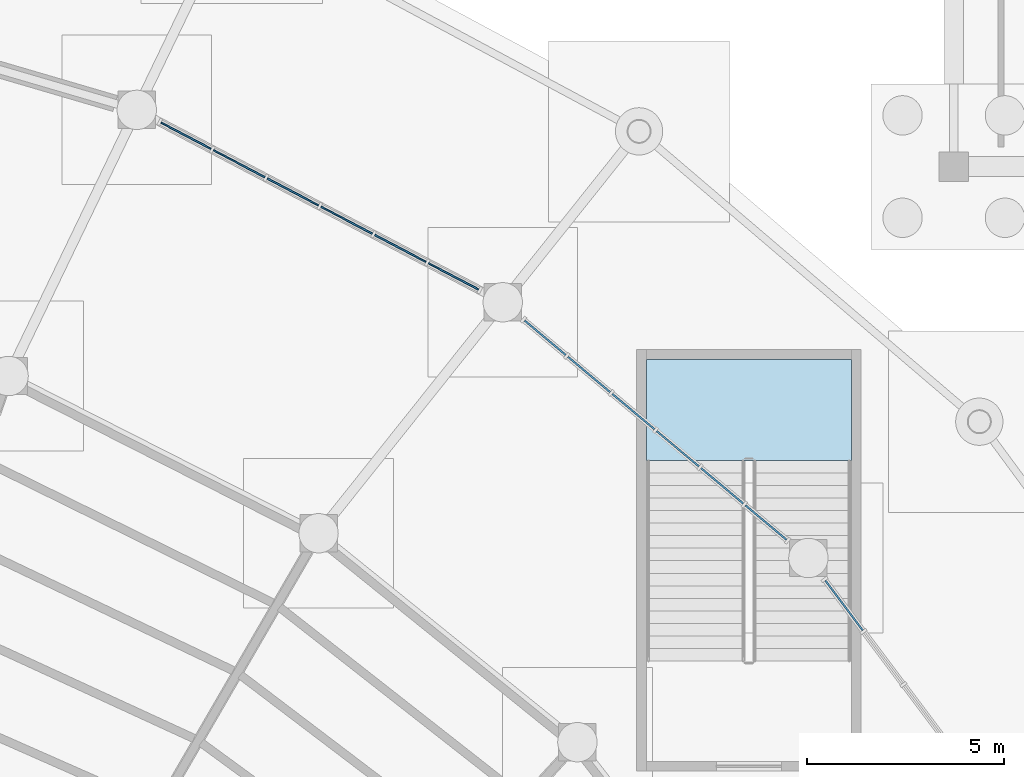
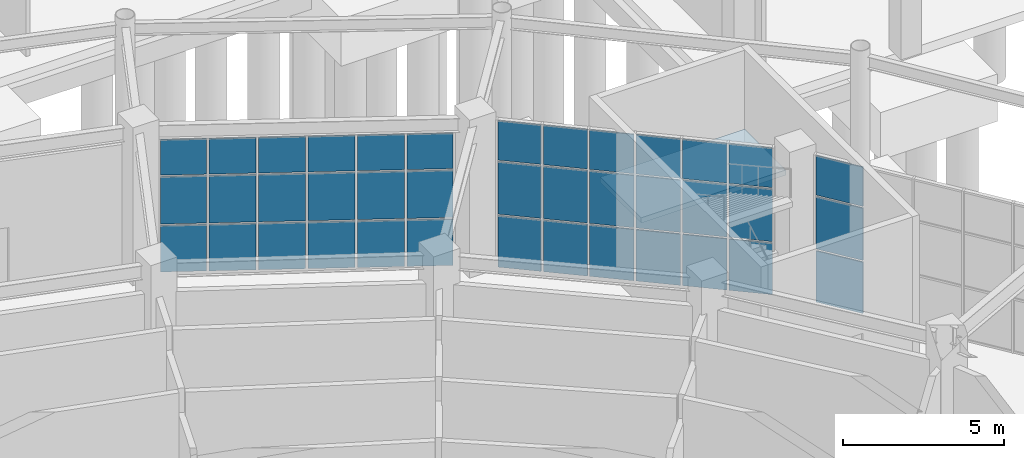
# One storey, part 74 of 121: 39 plates, 1 slab, 4 elements without a shape of their own.
"""IFC4 building model written with IfcOpenShell, lengths in metres."""

from ifc_helpers import new_model, si_unit, direction, frame, origin, origin_2d, place, context, subcontext, project, spatial, polyline, rectangle, outline, extrude, material, layer, layer_set, type_object, element, aggregate, save


model = new_model("IFC4")

# Units and contexts
model_context = context("Model", 3, precision=1e-05, world=origin(), true_north=direction((0.0, 1.0)))
body_context = subcontext(model_context, "Body", "Model", "MODEL_VIEW")
ifc_project = project(units=[si_unit("LENGTHUNIT", "METRE"), si_unit("AREAUNIT", "SQUARE_METRE"), si_unit("VOLUMEUNIT", "CUBIC_METRE"), si_unit("PLANEANGLEUNIT", "RADIAN"), si_unit("MASSUNIT", "GRAM", prefix="KILO")], contexts=[model_context])

# Site, building, storey
site_placement = place(None, origin())
site = spatial("IfcSite", under=ifc_project, at=site_placement, CompositionType="ELEMENT")
building_placement = place(site_placement, origin())
building = spatial("IfcBuilding", under=site, at=building_placement, Name="Cuetzalor Civic Arena", CompositionType="ELEMENT")
storey_placement = place(building_placement, origin())
storey = spatial("IfcBuildingStorey", under=building, at=storey_placement, Name="L00", CompositionType="ELEMENT", Elevation=0.0)

# Curtain wall, plates
ifc_material_1 = material(Name="Anodised dark bronze aluminium and low-E solar glass", Category="aluminium")
curtain_wall_type_1 = type_object("IfcCurtainWallType", Name="UnitisedCW_8450x5700", PredefinedType="USERDEFINED", material=ifc_material_1)
curtain_wall_1_placement = place(storey_placement, origin())
curtain_wall_1 = element("IfcCurtainWall", 1, at=curtain_wall_1_placement, inside=storey, type_object=curtain_wall_type_1, Name="Drum Ground Recessed Concourse Curtain Wall L00-002", ObjectType="UNITISED CURTAIN WALL", PredefinedType="USERDEFINED")
ifc_material_2 = material(Name="Acoustic laminated solar control glass", Category="glass")
ifc_layer_1 = layer(ifc_material_2, 0.0439453125)
ifc_layer_set_1 = layer_set([ifc_layer_1], Name="Acoustic laminated solar control glass")
plate_type = type_object("IfcPlateType", Name="AcousticTripleGlazedPanel_44", PredefinedType="CURTAIN_PANEL", material=ifc_layer_set_1)
plate_1_placement = place(storey_placement, frame((39.21484375, 24.35791015625, 0.06982421875), z_axis=(0.0, 0.0, 1.0), x_axis=(0.600491594925, -0.799631067696, 0.0)))
plate_1 = element("IfcPlate", 2, at=plate_1_placement, type_object=plate_type, Name="CW-02 panel 1.1", PredefinedType="CURTAIN_PANEL", context=body_context, shape_type="SweptSolid", body=[
    extrude(rectangle(XDim=1.58056640625, YDim=0.0439453125, at=origin_2d()), origin(), (0.0, 0.0, 1.0), 1.947021484375),
])
plate_2_placement = place(storey_placement, frame((39.21484375, 24.35791015625, 2.0869140625), z_axis=(0.0, 0.0, 1.0), x_axis=(0.600491594925, -0.799631067696, 0.0)))
plate_2 = element("IfcPlate", 3, at=plate_2_placement, type_object=plate_type, Name="CW-02 panel 1.2", PredefinedType="CURTAIN_PANEL", context=body_context, shape_type="SweptSolid", body=[
    extrude(rectangle(XDim=1.58056640625, YDim=0.0439453125, at=origin_2d()), origin(), (0.0, 0.0, 1.0), 1.98193359375),
])
plate_3_placement = place(storey_placement, frame((39.21484375, 24.35791015625, 4.13916015625), z_axis=(0.0, 0.0, 1.0), x_axis=(0.600491594925, -0.799631067696, 0.0)))
plate_3 = element("IfcPlate", 4, at=plate_3_placement, type_object=plate_type, Name="CW-02 panel 1.3", PredefinedType="CURTAIN_PANEL", context=body_context, shape_type="SweptSolid", body=[
    extrude(rectangle(XDim=1.58056640625, YDim=0.0439453125, at=origin_2d()), origin(), (0.0, 0.0, 1.0), 1.490966796875),
])
aggregate(curtain_wall_1, [plate_1, plate_2, plate_3])

ifc_material_3 = material(Name="Anodised dark bronze aluminium and low-E solar glass", Category="aluminium")
curtain_wall_type_2 = type_object("IfcCurtainWallType", Name="UnitisedCW_8800x5700", PredefinedType="USERDEFINED", material=ifc_material_3)
curtain_wall_2_placement = place(storey_placement, origin())
curtain_wall_2 = element("IfcCurtainWall", 5, at=curtain_wall_2_placement, inside=storey, type_object=curtain_wall_type_2, Name="Drum Ground Recessed Concourse Curtain Wall L00-003", ObjectType="UNITISED CURTAIN WALL", PredefinedType="USERDEFINED")
plate_4_placement = place(storey_placement, frame((31.627197265625, 31.15478515625, 0.06982421875), z_axis=(0.0, 0.0, 1.0), x_axis=(0.766928030459, -0.641733119059, 0.0)))
plate_4 = element("IfcPlate", 6, at=plate_4_placement, type_object=plate_type, Name="CW-03 panel 1.1", PredefinedType="CURTAIN_PANEL", context=body_context, shape_type="SweptSolid", body=[
    extrude(rectangle(XDim=1.364013671875, YDim=0.0439453125, at=origin_2d()), origin(), (0.0, 0.0, 1.0), 1.947021484375),
])
plate_5_placement = place(storey_placement, frame((31.627197265625, 31.15478515625, 2.0869140625), z_axis=(0.0, 0.0, 1.0), x_axis=(0.766928030459, -0.641733119059, 0.0)))
plate_5 = element("IfcPlate", 7, at=plate_5_placement, type_object=plate_type, Name="CW-03 panel 1.2", PredefinedType="CURTAIN_PANEL", context=body_context, shape_type="SweptSolid", body=[
    extrude(rectangle(XDim=1.364013671875, YDim=0.0439453125, at=origin_2d()), origin(), (0.0, 0.0, 1.0), 1.98193359375),
])
plate_6_placement = place(storey_placement, frame((31.627197265625, 31.15478515625, 4.13916015625), z_axis=(0.0, 0.0, 1.0), x_axis=(0.766928030459, -0.641733119059, 0.0)))
plate_6 = element("IfcPlate", 8, at=plate_6_placement, type_object=plate_type, Name="CW-03 panel 1.3", PredefinedType="CURTAIN_PANEL", context=body_context, shape_type="SweptSolid", body=[
    extrude(rectangle(XDim=1.364013671875, YDim=0.0439453125, at=origin_2d()), origin(), (0.0, 0.0, 1.0), 1.490966796875),
])
plate_7_placement = place(storey_placement, frame((32.740478515625, 30.22314453125, 0.06982421875), z_axis=(0.0, 0.0, 1.0), x_axis=(0.766928030459, -0.641733119059, 0.0)))
plate_7 = element("IfcPlate", 9, at=plate_7_placement, type_object=plate_type, Name="CW-03 panel 2.1", PredefinedType="CURTAIN_PANEL", context=body_context, shape_type="SweptSolid", body=[
    extrude(rectangle(XDim=1.39892578125, YDim=0.0439453125, at=origin_2d()), origin(), (0.0, 0.0, 1.0), 1.947021484375),
])
plate_8_placement = place(storey_placement, frame((32.740478515625, 30.22314453125, 2.0869140625), z_axis=(0.0, 0.0, 1.0), x_axis=(0.766928030459, -0.641733119059, 0.0)))
plate_8 = element("IfcPlate", 10, at=plate_8_placement, type_object=plate_type, Name="CW-03 panel 2.2", PredefinedType="CURTAIN_PANEL", context=body_context, shape_type="SweptSolid", body=[
    extrude(rectangle(XDim=1.39892578125, YDim=0.0439453125, at=origin_2d()), origin(), (0.0, 0.0, 1.0), 1.98193359375),
])
plate_9_placement = place(storey_placement, frame((32.740478515625, 30.22314453125, 4.13916015625), z_axis=(0.0, 0.0, 1.0), x_axis=(0.766928030459, -0.641733119059, 0.0)))
plate_9 = element("IfcPlate", 11, at=plate_9_placement, type_object=plate_type, Name="CW-03 panel 2.3", PredefinedType="CURTAIN_PANEL", context=body_context, shape_type="SweptSolid", body=[
    extrude(rectangle(XDim=1.39892578125, YDim=0.0439453125, at=origin_2d()), origin(), (0.0, 0.0, 1.0), 1.490966796875),
])
plate_10_placement = place(storey_placement, frame((33.866943359375, 29.280517578125, 0.06982421875), z_axis=(0.0, 0.0, 1.0), x_axis=(0.766928030459, -0.641733119059, 0.0)))
plate_10 = element("IfcPlate", 12, at=plate_10_placement, type_object=plate_type, Name="CW-03 panel 3.1", PredefinedType="CURTAIN_PANEL", context=body_context, shape_type="SweptSolid", body=[
    extrude(rectangle(XDim=1.39892578125, YDim=0.0439453125, at=origin_2d()), origin(), (0.0, 0.0, 1.0), 1.947021484375),
])
plate_11_placement = place(storey_placement, frame((33.866943359375, 29.280517578125, 2.0869140625), z_axis=(0.0, 0.0, 1.0), x_axis=(0.766928030459, -0.641733119059, 0.0)))
plate_11 = element("IfcPlate", 13, at=plate_11_placement, type_object=plate_type, Name="CW-03 panel 3.2", PredefinedType="CURTAIN_PANEL", context=body_context, shape_type="SweptSolid", body=[
    extrude(rectangle(XDim=1.39892578125, YDim=0.0439453125, at=origin_2d()), origin(), (0.0, 0.0, 1.0), 1.98193359375),
])
plate_12_placement = place(storey_placement, frame((33.866943359375, 29.280517578125, 4.13916015625), z_axis=(0.0, 0.0, 1.0), x_axis=(0.766928030459, -0.641733119059, 0.0)))
plate_12 = element("IfcPlate", 14, at=plate_12_placement, type_object=plate_type, Name="CW-03 panel 3.3", PredefinedType="CURTAIN_PANEL", context=body_context, shape_type="SweptSolid", body=[
    extrude(rectangle(XDim=1.39892578125, YDim=0.0439453125, at=origin_2d()), origin(), (0.0, 0.0, 1.0), 1.490966796875),
])
plate_13_placement = place(storey_placement, frame((34.99365234375, 28.337646484375, 0.06982421875), z_axis=(0.0, 0.0, 1.0), x_axis=(0.766928030459, -0.641733119059, 0.0)))
plate_13 = element("IfcPlate", 15, at=plate_13_placement, type_object=plate_type, Name="CW-03 panel 4.1", PredefinedType="CURTAIN_PANEL", context=body_context, shape_type="SweptSolid", body=[
    extrude(rectangle(XDim=1.39892578125, YDim=0.0439453125, at=origin_2d()), origin(), (0.0, 0.0, 1.0), 1.947021484375),
])
plate_14_placement = place(storey_placement, frame((34.99365234375, 28.337646484375, 2.0869140625), z_axis=(0.0, 0.0, 1.0), x_axis=(0.766928030459, -0.641733119059, 0.0)))
plate_14 = element("IfcPlate", 16, at=plate_14_placement, type_object=plate_type, Name="CW-03 panel 4.2", PredefinedType="CURTAIN_PANEL", context=body_context, shape_type="SweptSolid", body=[
    extrude(rectangle(XDim=1.39892578125, YDim=0.0439453125, at=origin_2d()), origin(), (0.0, 0.0, 1.0), 1.98193359375),
])
plate_15_placement = place(storey_placement, frame((34.99365234375, 28.337646484375, 4.13916015625), z_axis=(0.0, 0.0, 1.0), x_axis=(0.766928030459, -0.641733119059, 0.0)))
plate_15 = element("IfcPlate", 17, at=plate_15_placement, type_object=plate_type, Name="CW-03 panel 4.3", PredefinedType="CURTAIN_PANEL", context=body_context, shape_type="SweptSolid", body=[
    extrude(rectangle(XDim=1.39892578125, YDim=0.0439453125, at=origin_2d()), origin(), (0.0, 0.0, 1.0), 1.490966796875),
])
plate_16_placement = place(storey_placement, frame((36.120361328125, 27.39501953125, 0.06982421875), z_axis=(0.0, 0.0, 1.0), x_axis=(0.766928030459, -0.641733119059, 0.0)))
plate_16 = element("IfcPlate", 18, at=plate_16_placement, type_object=plate_type, Name="CW-03 panel 5.1", PredefinedType="CURTAIN_PANEL", context=body_context, shape_type="SweptSolid", body=[
    extrude(rectangle(XDim=1.39892578125, YDim=0.0439453125, at=origin_2d()), origin(), (0.0, 0.0, 1.0), 1.947021484375),
])
plate_17_placement = place(storey_placement, frame((36.120361328125, 27.39501953125, 2.0869140625), z_axis=(0.0, 0.0, 1.0), x_axis=(0.766928030459, -0.641733119059, 0.0)))
plate_17 = element("IfcPlate", 19, at=plate_17_placement, type_object=plate_type, Name="CW-03 panel 5.2", PredefinedType="CURTAIN_PANEL", context=body_context, shape_type="SweptSolid", body=[
    extrude(rectangle(XDim=1.39892578125, YDim=0.0439453125, at=origin_2d()), origin(), (0.0, 0.0, 1.0), 1.98193359375),
])
plate_18_placement = place(storey_placement, frame((36.120361328125, 27.39501953125, 4.13916015625), z_axis=(0.0, 0.0, 1.0), x_axis=(0.766928030459, -0.641733119059, 0.0)))
plate_18 = element("IfcPlate", 20, at=plate_18_placement, type_object=plate_type, Name="CW-03 panel 5.3", PredefinedType="CURTAIN_PANEL", context=body_context, shape_type="SweptSolid", body=[
    extrude(rectangle(XDim=1.39892578125, YDim=0.0439453125, at=origin_2d()), origin(), (0.0, 0.0, 1.0), 1.490966796875),
])
plate_19_placement = place(storey_placement, frame((37.233642578125, 26.46337890625, 0.06982421875), z_axis=(0.0, 0.0, 1.0), x_axis=(0.766928030459, -0.641733119059, 0.0)))
plate_19 = element("IfcPlate", 21, at=plate_19_placement, type_object=plate_type, Name="CW-03 panel 6.1", PredefinedType="CURTAIN_PANEL", context=body_context, shape_type="SweptSolid", body=[
    extrude(rectangle(XDim=1.364013671875, YDim=0.0439453125, at=origin_2d()), origin(), (0.0, 0.0, 1.0), 1.947021484375),
])
plate_20_placement = place(storey_placement, frame((37.233642578125, 26.46337890625, 2.0869140625), z_axis=(0.0, 0.0, 1.0), x_axis=(0.766928030459, -0.641733119059, 0.0)))
plate_20 = element("IfcPlate", 22, at=plate_20_placement, type_object=plate_type, Name="CW-03 panel 6.2", PredefinedType="CURTAIN_PANEL", context=body_context, shape_type="SweptSolid", body=[
    extrude(rectangle(XDim=1.364013671875, YDim=0.0439453125, at=origin_2d()), origin(), (0.0, 0.0, 1.0), 1.98193359375),
])
plate_21_placement = place(storey_placement, frame((37.233642578125, 26.46337890625, 4.13916015625), z_axis=(0.0, 0.0, 1.0), x_axis=(0.766928030459, -0.641733119059, 0.0)))
plate_21 = element("IfcPlate", 23, at=plate_21_placement, type_object=plate_type, Name="CW-03 panel 6.3", PredefinedType="CURTAIN_PANEL", context=body_context, shape_type="SweptSolid", body=[
    extrude(rectangle(XDim=1.364013671875, YDim=0.0439453125, at=origin_2d()), origin(), (0.0, 0.0, 1.0), 1.490966796875),
])
aggregate(curtain_wall_2, [plate_4, plate_5, plate_6, plate_7, plate_8, plate_9, plate_10, plate_11, plate_12, plate_13, plate_14, plate_15, plate_16, plate_17, plate_18, plate_19, plate_20, plate_21])

ifc_material_4 = material(Name="Anodised dark bronze aluminium and low-E solar glass", Category="aluminium")
curtain_wall_type_3 = type_object("IfcCurtainWallType", Name="UnitisedCW_9250x5150", PredefinedType="USERDEFINED", material=ifc_material_4)
curtain_wall_3_placement = place(storey_placement, origin())
curtain_wall_3 = element("IfcCurtainWall", 24, at=curtain_wall_3_placement, inside=storey, type_object=curtain_wall_type_3, Name="Drum Ground Recessed Concourse Curtain Wall L00-004", ObjectType="UNITISED CURTAIN WALL", PredefinedType="USERDEFINED")
plate_22_placement = place(storey_placement, frame((22.510009765625, 36.28271484375, 0.070068359375), z_axis=(0.0, 0.0, 1.0), x_axis=(0.885118421147, -0.465365856662, 0.0)))
plate_22 = element("IfcPlate", 25, at=plate_22_placement, type_object=plate_type, Name="CW-04 panel 1.1", PredefinedType="CURTAIN_PANEL", context=body_context, shape_type="SweptSolid", body=[
    extrude(rectangle(XDim=1.4365234375, YDim=0.0439453125, at=origin_2d()), origin(), (0.0, 0.0, 1.0), 1.751953125),
])
plate_23_placement = place(storey_placement, frame((22.510009765625, 36.28271484375, 1.89208984375), z_axis=(0.0, 0.0, 1.0), x_axis=(0.885118421147, -0.465365856662, 0.0)))
plate_23 = element("IfcPlate", 26, at=plate_23_placement, type_object=plate_type, Name="CW-04 panel 1.2", PredefinedType="CURTAIN_PANEL", context=body_context, shape_type="SweptSolid", body=[
    extrude(rectangle(XDim=1.4365234375, YDim=0.0439453125, at=origin_2d()), origin(), (0.0, 0.0, 1.0), 1.785888671875),
])
plate_24_placement = place(storey_placement, frame((22.510009765625, 36.28271484375, 3.748046875), z_axis=(0.0, 0.0, 1.0), x_axis=(0.885118421147, -0.465365856662, 0.0)))
plate_24 = element("IfcPlate", 27, at=plate_24_placement, type_object=plate_type, Name="CW-04 panel 1.3", PredefinedType="CURTAIN_PANEL", context=body_context, shape_type="SweptSolid", body=[
    extrude(rectangle(XDim=1.4365234375, YDim=0.0439453125, at=origin_2d()), origin(), (0.0, 0.0, 1.0), 1.339111328125),
])
plate_25_placement = place(storey_placement, frame((23.85888671875, 35.573486328125, 0.070068359375), z_axis=(0.0, 0.0, 1.0), x_axis=(0.885118421147, -0.465365856662, 0.0)))
plate_25 = element("IfcPlate", 28, at=plate_25_placement, type_object=plate_type, Name="CW-04 panel 2.1", PredefinedType="CURTAIN_PANEL", context=body_context, shape_type="SweptSolid", body=[
    extrude(rectangle(XDim=1.4716796875, YDim=0.0439453125, at=origin_2d()), origin(), (0.0, 0.0, 1.0), 1.751953125),
])
plate_26_placement = place(storey_placement, frame((23.85888671875, 35.573486328125, 1.89208984375), z_axis=(0.0, 0.0, 1.0), x_axis=(0.885118421147, -0.465365856662, 0.0)))
plate_26 = element("IfcPlate", 29, at=plate_26_placement, type_object=plate_type, Name="CW-04 panel 2.2", PredefinedType="CURTAIN_PANEL", context=body_context, shape_type="SweptSolid", body=[
    extrude(rectangle(XDim=1.4716796875, YDim=0.0439453125, at=origin_2d()), origin(), (0.0, 0.0, 1.0), 1.785888671875),
])
plate_27_placement = place(storey_placement, frame((23.85888671875, 35.573486328125, 3.748046875), z_axis=(0.0, 0.0, 1.0), x_axis=(0.885118421147, -0.465365856662, 0.0)))
plate_27 = element("IfcPlate", 30, at=plate_27_placement, type_object=plate_type, Name="CW-04 panel 2.3", PredefinedType="CURTAIN_PANEL", context=body_context, shape_type="SweptSolid", body=[
    extrude(rectangle(XDim=1.4716796875, YDim=0.0439453125, at=origin_2d()), origin(), (0.0, 0.0, 1.0), 1.339111328125),
])
plate_28_placement = place(storey_placement, frame((25.223388671875, 34.856201171875, 0.070068359375), z_axis=(0.0, 0.0, 1.0), x_axis=(0.885118421147, -0.465365856662, 0.0)))
plate_28 = element("IfcPlate", 31, at=plate_28_placement, type_object=plate_type, Name="CW-04 panel 3.1", PredefinedType="CURTAIN_PANEL", context=body_context, shape_type="SweptSolid", body=[
    extrude(rectangle(XDim=1.4716796875, YDim=0.0439453125, at=origin_2d()), origin(), (0.0, 0.0, 1.0), 1.751953125),
])
plate_29_placement = place(storey_placement, frame((25.223388671875, 34.856201171875, 1.89208984375), z_axis=(0.0, 0.0, 1.0), x_axis=(0.885118421147, -0.465365856662, 0.0)))
plate_29 = element("IfcPlate", 32, at=plate_29_placement, type_object=plate_type, Name="CW-04 panel 3.2", PredefinedType="CURTAIN_PANEL", context=body_context, shape_type="SweptSolid", body=[
    extrude(rectangle(XDim=1.4716796875, YDim=0.0439453125, at=origin_2d()), origin(), (0.0, 0.0, 1.0), 1.785888671875),
])
plate_30_placement = place(storey_placement, frame((25.223388671875, 34.856201171875, 3.748046875), z_axis=(0.0, 0.0, 1.0), x_axis=(0.885118421147, -0.465365856662, 0.0)))
plate_30 = element("IfcPlate", 33, at=plate_30_placement, type_object=plate_type, Name="CW-04 panel 3.3", PredefinedType="CURTAIN_PANEL", context=body_context, shape_type="SweptSolid", body=[
    extrude(rectangle(XDim=1.4716796875, YDim=0.0439453125, at=origin_2d()), origin(), (0.0, 0.0, 1.0), 1.339111328125),
])
plate_31_placement = place(storey_placement, frame((26.587890625, 34.138671875, 0.070068359375), z_axis=(0.0, 0.0, 1.0), x_axis=(0.885118421147, -0.465365856662, 0.0)))
plate_31 = element("IfcPlate", 34, at=plate_31_placement, type_object=plate_type, Name="CW-04 panel 4.1", PredefinedType="CURTAIN_PANEL", context=body_context, shape_type="SweptSolid", body=[
    extrude(rectangle(XDim=1.4716796875, YDim=0.0439453125, at=origin_2d()), origin(), (0.0, 0.0, 1.0), 1.751953125),
])
plate_32_placement = place(storey_placement, frame((26.587890625, 34.138671875, 1.89208984375), z_axis=(0.0, 0.0, 1.0), x_axis=(0.885118421147, -0.465365856662, 0.0)))
plate_32 = element("IfcPlate", 35, at=plate_32_placement, type_object=plate_type, Name="CW-04 panel 4.2", PredefinedType="CURTAIN_PANEL", context=body_context, shape_type="SweptSolid", body=[
    extrude(rectangle(XDim=1.4716796875, YDim=0.0439453125, at=origin_2d()), origin(), (0.0, 0.0, 1.0), 1.785888671875),
])
plate_33_placement = place(storey_placement, frame((26.587890625, 34.138671875, 3.748046875), z_axis=(0.0, 0.0, 1.0), x_axis=(0.885118421147, -0.465365856662, 0.0)))
plate_33 = element("IfcPlate", 36, at=plate_33_placement, type_object=plate_type, Name="CW-04 panel 4.3", PredefinedType="CURTAIN_PANEL", context=body_context, shape_type="SweptSolid", body=[
    extrude(rectangle(XDim=1.4716796875, YDim=0.0439453125, at=origin_2d()), origin(), (0.0, 0.0, 1.0), 1.339111328125),
])
plate_34_placement = place(storey_placement, frame((27.952392578125, 33.42138671875, 0.070068359375), z_axis=(0.0, 0.0, 1.0), x_axis=(0.885118421147, -0.465365856662, 0.0)))
plate_34 = element("IfcPlate", 37, at=plate_34_placement, type_object=plate_type, Name="CW-04 panel 5.1", PredefinedType="CURTAIN_PANEL", context=body_context, shape_type="SweptSolid", body=[
    extrude(rectangle(XDim=1.4716796875, YDim=0.0439453125, at=origin_2d()), origin(), (0.0, 0.0, 1.0), 1.751953125),
])
plate_35_placement = place(storey_placement, frame((27.952392578125, 33.42138671875, 1.89208984375), z_axis=(0.0, 0.0, 1.0), x_axis=(0.885118421147, -0.465365856662, 0.0)))
plate_35 = element("IfcPlate", 38, at=plate_35_placement, type_object=plate_type, Name="CW-04 panel 5.2", PredefinedType="CURTAIN_PANEL", context=body_context, shape_type="SweptSolid", body=[
    extrude(rectangle(XDim=1.4716796875, YDim=0.0439453125, at=origin_2d()), origin(), (0.0, 0.0, 1.0), 1.785888671875),
])
plate_36_placement = place(storey_placement, frame((27.952392578125, 33.42138671875, 3.748046875), z_axis=(0.0, 0.0, 1.0), x_axis=(0.885118421147, -0.465365856662, 0.0)))
plate_36 = element("IfcPlate", 39, at=plate_36_placement, type_object=plate_type, Name="CW-04 panel 5.3", PredefinedType="CURTAIN_PANEL", context=body_context, shape_type="SweptSolid", body=[
    extrude(rectangle(XDim=1.4716796875, YDim=0.0439453125, at=origin_2d()), origin(), (0.0, 0.0, 1.0), 1.339111328125),
])
plate_37_placement = place(storey_placement, frame((29.30126953125, 32.712158203125, 0.070068359375), z_axis=(0.0, 0.0, 1.0), x_axis=(0.885118421147, -0.465365856662, 0.0)))
plate_37 = element("IfcPlate", 40, at=plate_37_placement, type_object=plate_type, Name="CW-04 panel 6.1", PredefinedType="CURTAIN_PANEL", context=body_context, shape_type="SweptSolid", body=[
    extrude(rectangle(XDim=1.4365234375, YDim=0.0439453125, at=origin_2d()), origin(), (0.0, 0.0, 1.0), 1.751953125),
])
plate_38_placement = place(storey_placement, frame((29.30126953125, 32.712158203125, 1.89208984375), z_axis=(0.0, 0.0, 1.0), x_axis=(0.885118421147, -0.465365856662, 0.0)))
plate_38 = element("IfcPlate", 41, at=plate_38_placement, type_object=plate_type, Name="CW-04 panel 6.2", PredefinedType="CURTAIN_PANEL", context=body_context, shape_type="SweptSolid", body=[
    extrude(rectangle(XDim=1.4365234375, YDim=0.0439453125, at=origin_2d()), origin(), (0.0, 0.0, 1.0), 1.785888671875),
])
plate_39_placement = place(storey_placement, frame((29.30126953125, 32.712158203125, 3.748046875), z_axis=(0.0, 0.0, 1.0), x_axis=(0.885118421147, -0.465365856662, 0.0)))
plate_39 = element("IfcPlate", 42, at=plate_39_placement, type_object=plate_type, Name="CW-04 panel 6.3", PredefinedType="CURTAIN_PANEL", context=body_context, shape_type="SweptSolid", body=[
    extrude(rectangle(XDim=1.4365234375, YDim=0.0439453125, at=origin_2d()), origin(), (0.0, 0.0, 1.0), 1.339111328125),
])
aggregate(curtain_wall_3, [plate_22, plate_23, plate_24, plate_25, plate_26, plate_27, plate_28, plate_29, plate_30, plate_31, plate_32, plate_33, plate_34, plate_35, plate_36, plate_37, plate_38, plate_39])

# Stair, slab
ifc_material_5 = material(Name="Precast concrete C40/50", Category="concrete")
stair_type = type_object("IfcStairType", Name="EnclosedExitStair_H600", PredefinedType="HALF_TURN_STAIR", material=ifc_material_5)
stair_placement = place(storey_placement, origin())
stair = element("IfcStair", 43, at=stair_placement, inside=storey, type_object=stair_type, Name="L00 Enclosed Exit Stair ST-02", PredefinedType="HALF_TURN_STAIR")
ifc_material_6 = material(Name="Concrete C40/50", Category="concrete")
ifc_layer_2 = layer(ifc_material_6, 0.199951171875)
ifc_layer_set_2 = layer_set([ifc_layer_2], Name="Concrete C40/50")
slab_type = type_object("IfcSlabType", Name="StairHalfLandingSlab_200", PredefinedType="LANDING", material=ifc_layer_set_2)
slab_placement = place(storey_placement, frame((0.0, 0.0, 2.800048828125)))
slab = element("IfcSlab", 44, at=slab_placement, type_object=slab_type, Name="ST-02 landing 1", PredefinedType="LANDING", context=body_context, shape_type="SweptSolid", body=[
    extrude(outline(polyline([(39.39990234375, 28.0380859375), (39.39990234375, 30.60009765625), (34.199951171875, 30.60009765625), (34.199951171875, 28.0380859375), (39.39990234375, 28.0380859375)])), origin(), (0.0, 0.0, 1.0), 0.199951171875),
])
aggregate(stair, [slab])

save(model, "model.ifc")
